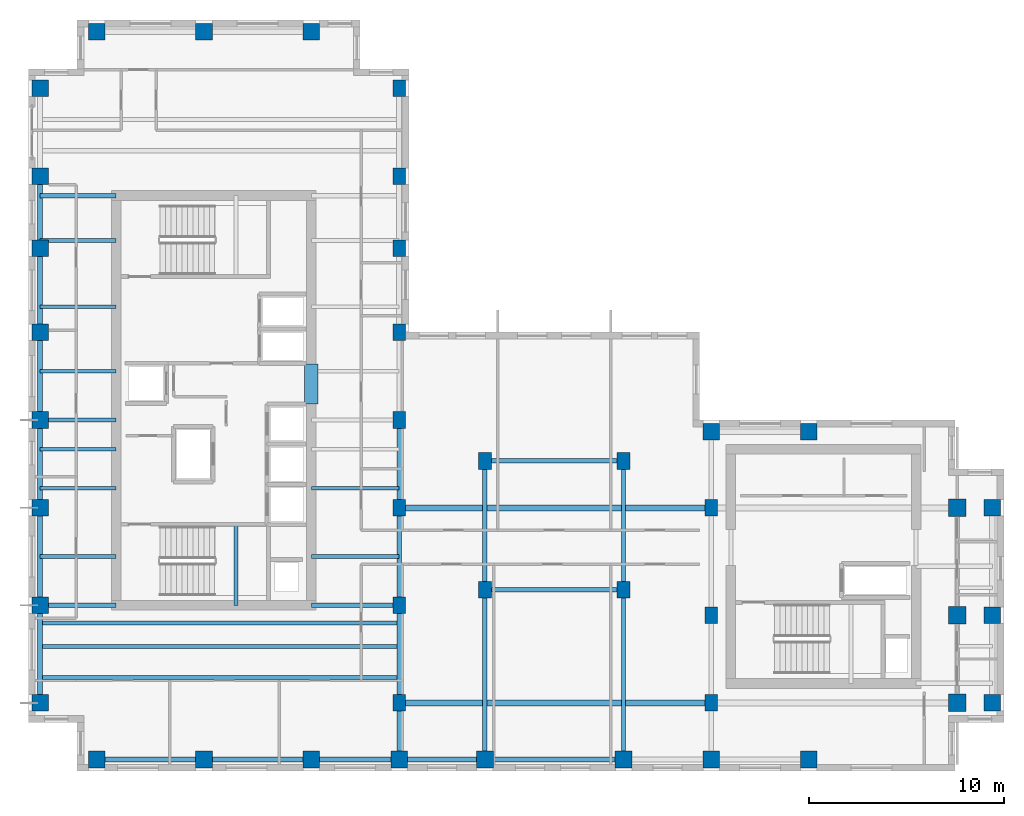
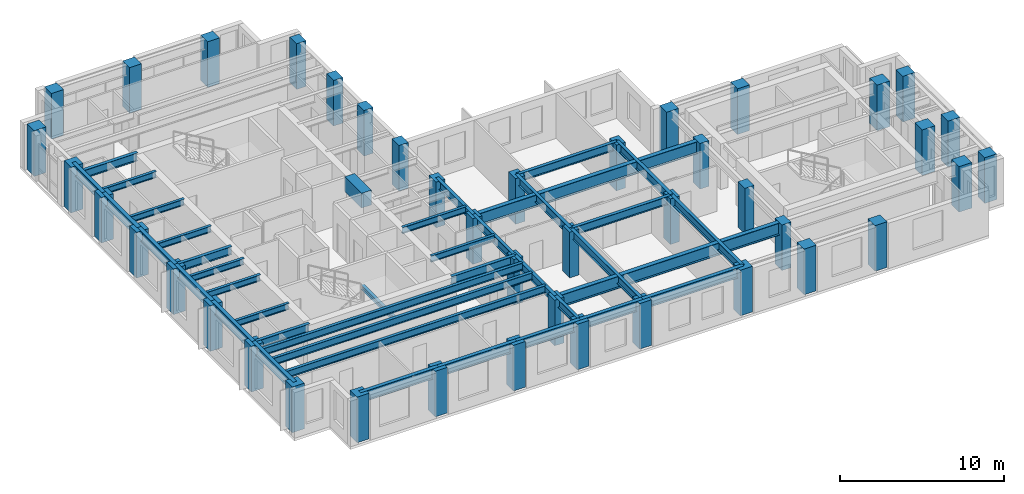
# One storey, part 1 of 13: 42 columns, 40 beams.
"""IFC4 building model written with IfcOpenShell, lengths in metres."""

from ifc_helpers import new_model, si_unit, direction, frame, origin, origin_2d, place, context, subcontext, project, spatial, rectangle, i_section, extrude, source, transform, mapped, material, material_profile, profile_set, type_object, element, save


model = new_model("IFC4")

# Units and contexts
model_context = context("Model", 3, precision=1e-05, world=origin(), true_north=direction((0.0, 1.0)))
body_context = subcontext(model_context, "Body", "Model", "MODEL_VIEW")
ifc_project = project(units=[si_unit("LENGTHUNIT", "METRE"), si_unit("AREAUNIT", "SQUARE_METRE"), si_unit("VOLUMEUNIT", "CUBIC_METRE"), si_unit("PLANEANGLEUNIT", "RADIAN"), si_unit("MASSUNIT", "GRAM", prefix="KILO")], contexts=[model_context])

# Site, building, storey
site_placement = place(None, origin())
site = spatial("IfcSite", under=ifc_project, at=site_placement, CompositionType="ELEMENT")
building_placement = place(site_placement, origin())
building = spatial("IfcBuilding", under=site, at=building_placement, Name="Kharzan Plaza Tower", CompositionType="ELEMENT")
storey_placement = place(building_placement, frame((0.0, 0.0, 252.0)))
storey = spatial("IfcBuildingStorey", under=building, at=storey_placement, Name="L68", CompositionType="ELEMENT", Elevation=252.0)

# Columns
ifc_material_1 = material(Name="Concrete C50/60", Category="concrete")
ifc_material_profile_1 = material_profile(ifc_material_1, rectangle(XDim=0.89990234375, YDim=0.89990234375, at=origin_2d()), Name="RC-IC900x900")
ifc_profile_set_1 = profile_set([ifc_material_profile_1], Name="Concrete C50/60")
column_type_1 = type_object("IfcColumnType", Name="COL-IC900", PredefinedType="COLUMN", material=ifc_profile_set_1)
shared_shape_1 = source(origin(), body_context, "Body", "SweptSolid", [
    extrude(rectangle(XDim=0.89990234375, YDim=0.89990234375, at=origin_2d()), origin(), (0.0, 0.0, 1.0), 3.39990234375),
])
for number, where, z_axis, x_axis, name in (
    (1, (47.60009765625, 13.5, 0.0), (0.0, 0.0, 1.0), (1.0, 0.0, 0.0), "L68 Structural Column TCBI-135"),
    (2, (47.60009765625, 3.5, 0.0), (0.0, 0.0, 1.0), (1.0, 0.0, 0.0), "L68 Structural Column TCBI-35"),
    (3, (47.60009765625, 8.0, 0.0), (0.0, 0.0, 1.0), (1.0, 0.0, 0.0), "L68 Structural Column TCBI-80"),
):
    element("IfcColumn", number, at=place(storey_placement, frame(where, z_axis=z_axis, x_axis=x_axis)), inside=storey, type_object=column_type_1, Name=name, PredefinedType="COLUMN", context=body_context, shape_type="MappedRepresentation", body=[
        mapped(shared_shape_1, transform((0.0, 0.0, 0.0), x_axis=(1.0, 0.0, 0.0), y_axis=(0.0, 1.0, 0.0), z_axis=(0.0, 0.0, 1.0))),
    ])
ifc_material_profile_2 = material_profile(ifc_material_1, rectangle(XDim=0.64990234375, YDim=0.85009765625, at=origin_2d()), Name="RC-SC850x650")
ifc_profile_set_2 = profile_set([ifc_material_profile_2], Name="Concrete C50/60")
column_type_2 = type_object("IfcColumnType", Name="COL-SC850", PredefinedType="COLUMN", material=ifc_profile_set_2)
shared_shape_2 = source(origin(), body_context, "Body", "SweptSolid", [
    extrude(rectangle(XDim=0.64990234375, YDim=0.85009765625, at=origin_2d()), origin(), (0.0, 0.0, 1.0), 3.39990234375),
])
for number, where, z_axis, x_axis, name in (
    (4, (19.0, 13.5, 0.0), (0.0, 0.0, 1.0), (1.0, 0.0, 0.0), "L68 Structural Column TCA-135"),
    (5, (19.0, 18.0, 0.0), (0.0, 0.0, 1.0), (1.0, 0.0, 0.0), "L68 Structural Column TCA-180"),
    (6, (19.0, 22.5, 0.0), (0.0, 0.0, 1.0), (1.0, 0.0, 0.0), "L68 Structural Column TCA-225"),
    (7, (19.0, 26.800048828125, 0.0), (0.0, 0.0, 1.0), (1.0, 0.0, 0.0), "L68 Structural Column TCA-268"),
    (8, (19.0, 30.5, 0.0), (0.0, 0.0, 1.0), (1.0, 0.0, 0.0), "L68 Structural Column TCA-305"),
    (9, (19.0, 3.5, 0.0), (0.0, 0.0, 1.0), (1.0, 0.0, 0.0), "L68 Structural Column TCA-35"),
    (10, (19.0, 35.0, 0.0), (0.0, 0.0, 1.0), (1.0, 0.0, 0.0), "L68 Structural Column TCA-350"),
    (11, (19.0, 8.5, 0.0), (0.0, 0.0, 1.0), (1.0, 0.0, 0.0), "L68 Structural Column TCA-85"),
    (12, (35.0, 13.5, 0.0), (0.0, 0.0, 1.0), (1.0, 0.0, 0.0), "L68 Structural Column TCBS-135"),
    (13, (35.0, 3.5, 0.0), (0.0, 0.0, 1.0), (1.0, 0.0, 0.0), "L68 Structural Column TCBS-35"),
    (14, (35.0, 8.0, 0.0), (0.0, 0.0, 1.0), (1.0, 0.0, 0.0), "L68 Structural Column TCBS-80"),
    (15, (23.39990234375, 15.89990234375, 0.0), (0.0, 0.0, 1.0), (1.0, 0.0, 0.0), "L68 Structural Column TCSP-234-159"),
    (16, (23.39990234375, 9.300048828125, 0.0), (0.0, 0.0, 1.0), (1.0, 0.0, 0.0), "L68 Structural Column TCSP-234-93"),
    (17, (30.5, 15.89990234375, 0.0), (0.0, 0.0, 1.0), (1.0, 0.0, 0.0), "L68 Structural Column TCSP-305-159"),
    (18, (30.5, 9.300048828125, 0.0), (0.0, 0.0, 1.0), (1.0, 0.0, 0.0), "L68 Structural Column TCSP-305-93"),
):
    element("IfcColumn", number, at=place(storey_placement, frame(where, z_axis=z_axis, x_axis=x_axis)), inside=storey, type_object=column_type_2, Name=name, PredefinedType="COLUMN", context=body_context, shape_type="MappedRepresentation", body=[
        mapped(shared_shape_2, transform((0.0, 0.0, 0.0), x_axis=(1.0, 0.0, 0.0), y_axis=(0.0, 1.0, 0.0), z_axis=(0.0, 0.0, 1.0))),
    ])
ifc_material_profile_3 = material_profile(ifc_material_1, rectangle(XDim=0.85009765625, YDim=0.85009765625, at=origin_2d()), Name="RC-TC850x850")
ifc_profile_set_3 = profile_set([ifc_material_profile_3], Name="Concrete C50/60")
column_type_3 = type_object("IfcColumnType", Name="COL-TC850", PredefinedType="COLUMN", material=ifc_profile_set_3)
shared_shape_3 = source(origin(), body_context, "Body", "SweptSolid", [
    extrude(rectangle(XDim=0.85009765625, YDim=0.85009765625, at=origin_2d()), origin(), (0.0, 0.0, 1.0), 3.39990234375),
])
for number, where, z_axis, x_axis, name in (
    (19, (35.0, 17.39990234375, 0.0), (0.0, 0.0, 1.0), (1.0, 0.0, 0.0), "L68 Structural Column TCBN-350-174"),
    (20, (40.0, 17.39990234375, 0.0), (0.0, 0.0, 1.0), (1.0, 0.0, 0.0), "L68 Structural Column TCBN-400-174"),
    (21, (49.39990234375, 13.5, 0.0), (0.0, 0.0, 1.0), (1.0, 0.0, 0.0), "L68 Structural Column TCE-494-135"),
    (22, (49.39990234375, 3.5, 0.0), (0.0, 0.0, 1.0), (1.0, 0.0, 0.0), "L68 Structural Column TCE-494-35"),
    (23, (49.39990234375, 8.0, 0.0), (0.0, 0.0, 1.0), (1.0, 0.0, 0.0), "L68 Structural Column TCE-494-80"),
    (24, (14.5, 37.89990234375, 0.0), (0.0, 0.0, 1.0), (1.0, 0.0, 0.0), "L68 Structural Column TCN-145-379"),
    (25, (3.5, 37.89990234375, 0.0), (0.0, 0.0, 1.0), (1.0, 0.0, 0.0), "L68 Structural Column TCN-35-379"),
    (26, (9.0, 37.89990234375, 0.0), (0.0, 0.0, 1.0), (1.0, 0.0, 0.0), "L68 Structural Column TCN-90-379"),
    (27, (14.5, 0.60009765625, 0.0), (0.0, 0.0, 1.0), (1.0, 0.0, 0.0), "L68 Structural Column TCS-145"),
    (28, (19.0, 0.60009765625, 0.0), (0.0, 0.0, 1.0), (1.0, 0.0, 0.0), "L68 Structural Column TCS-190"),
    (29, (23.39990234375, 0.60009765625, 0.0), (0.0, 0.0, 1.0), (1.0, 0.0, 0.0), "L68 Structural Column TCS-234"),
    (30, (30.5, 0.60009765625, 0.0), (0.0, 0.0, 1.0), (1.0, 0.0, 0.0), "L68 Structural Column TCS-305"),
    (31, (3.5, 0.60009765625, 0.0), (0.0, 0.0, 1.0), (1.0, 0.0, 0.0), "L68 Structural Column TCS-35"),
    (32, (35.0, 0.60009765625, 0.0), (0.0, 0.0, 1.0), (1.0, 0.0, 0.0), "L68 Structural Column TCS-350"),
    (33, (40.0, 0.60009765625, 0.0), (0.0, 0.0, 1.0), (1.0, 0.0, 0.0), "L68 Structural Column TCS-400"),
    (34, (9.0, 0.60009765625, 0.0), (0.0, 0.0, 1.0), (1.0, 0.0, 0.0), "L68 Structural Column TCS-90"),
    (35, (0.60009765625, 13.5, 0.0), (0.0, 0.0, 1.0), (1.0, 0.0, 0.0), "L68 Structural Column TCW-135"),
    (36, (0.60009765625, 18.0, 0.0), (0.0, 0.0, 1.0), (1.0, 0.0, 0.0), "L68 Structural Column TCW-180"),
    (37, (0.60009765625, 22.5, 0.0), (0.0, 0.0, 1.0), (1.0, 0.0, 0.0), "L68 Structural Column TCW-225"),
    (38, (0.60009765625, 26.800048828125, 0.0), (0.0, 0.0, 1.0), (1.0, 0.0, 0.0), "L68 Structural Column TCW-268"),
    (39, (0.60009765625, 30.5, 0.0), (0.0, 0.0, 1.0), (1.0, 0.0, 0.0), "L68 Structural Column TCW-305"),
    (40, (0.60009765625, 3.5, 0.0), (0.0, 0.0, 1.0), (1.0, 0.0, 0.0), "L68 Structural Column TCW-35"),
    (41, (0.60009765625, 35.0, 0.0), (0.0, 0.0, 1.0), (1.0, 0.0, 0.0), "L68 Structural Column TCW-350"),
    (42, (0.60009765625, 8.5, 0.0), (0.0, 0.0, 1.0), (1.0, 0.0, 0.0), "L68 Structural Column TCW-85"),
):
    element("IfcColumn", number, at=place(storey_placement, frame(where, z_axis=z_axis, x_axis=x_axis)), inside=storey, type_object=column_type_3, Name=name, PredefinedType="COLUMN", context=body_context, shape_type="MappedRepresentation", body=[
        mapped(shared_shape_3, transform((0.0, 0.0, 0.0), x_axis=(1.0, 0.0, 0.0), y_axis=(0.0, 1.0, 0.0), z_axis=(0.0, 0.0, 1.0))),
    ])

# Beams
ifc_material_2 = material(Name="Concrete C60/75", Category="concrete")
ifc_material_profile_4 = material_profile(ifc_material_2, rectangle(XDim=0.699951171875, YDim=1.10009765625, at=origin_2d()), Name="RC-CB1100x700")
ifc_profile_set_4 = profile_set([ifc_material_profile_4], Name="Concrete C60/75")
beam_type_1 = type_object("IfcBeamType", Name="BM-RCCB1100", PredefinedType="LINTEL", material=ifc_profile_set_4)
shared_shape_4 = source(origin(), body_context, "Body", "SweptSolid", [
    extrude(rectangle(XDim=0.699951171875, YDim=1.10009765625, at=origin_2d()), origin(), (0.0, 0.0, 1.0), 2.059814453125),
])
beam_1_placement = place(storey_placement, frame((14.5, 18.820068359375, 2.85009765625), z_axis=(0.0, 1.0, 0.0), x_axis=(-1.0, 0.0, 0.0)))
element("IfcBeam", 43, at=beam_1_placement, inside=storey, type_object=beam_type_1, Name="L68 CORE-A RC coupling beam CB1", PredefinedType="LINTEL", context=body_context, shape_type="MappedRepresentation", body=[
    mapped(shared_shape_4, transform((0.0, 0.0, 0.0), x_axis=(1.0, 0.0, 0.0), y_axis=(0.0, 1.0, 0.0), z_axis=(0.0, 0.0, 1.0))),
])
ifc_material_3 = material(Name="Steel S355", Category="steel")
ifc_material_profile_5 = material_profile(ifc_material_3, i_section(OverallWidth=0.205078125, OverallDepth=0.35400390625, WebThickness=0.009521484375, FlangeThickness=0.016845703125, at=origin_2d()), Name="W360x79")
ifc_profile_set_5 = profile_set([ifc_material_profile_5], Name="Steel S355")
beam_type_2 = type_object("IfcBeamType", Name="BM-LNT360", PredefinedType="LINTEL", material=ifc_profile_set_5)
shared_shape_5 = source(origin(), body_context, "Body", "SweptSolid", [
    extrude(i_section(OverallWidth=0.205078125, OverallDepth=0.35400390625, WebThickness=0.009521484375, FlangeThickness=0.016845703125, at=origin_2d()), origin(), (0.0, 0.0, 1.0), 4.155029296875),
])
beam_2_placement = place(storey_placement, frame((10.64990234375, 8.5, 1.423095703125), z_axis=(0.0, 1.0, 0.0), x_axis=(-1.0, 0.0, 0.0)))
element("IfcBeam", 44, at=beam_2_placement, inside=storey, type_object=beam_type_2, Name="L68 Stair ST-1 Half-Landing Beam", PredefinedType="LINTEL", context=body_context, shape_type="MappedRepresentation", body=[
    mapped(shared_shape_5, transform((0.0, 0.0, 0.0), x_axis=(1.0, 0.0, 0.0), y_axis=(0.0, 1.0, 0.0), z_axis=(0.0, 0.0, 1.0))),
])
ifc_material_profile_6 = material_profile(ifc_material_3, i_section(OverallWidth=0.304931640625, OverallDepth=0.9189453125, WebThickness=0.017333984375, FlangeThickness=0.02783203125, at=origin_2d()), Name="W920x253")
ifc_profile_set_6 = profile_set([ifc_material_profile_6], Name="Steel S355")
beam_type_3 = type_object("IfcBeamType", Name="BM-FG920B", PredefinedType="BEAM", material=ifc_profile_set_6)
shared_shape_6 = source(origin(), body_context, "Body", "SweptSolid", [
    extrude(i_section(OverallWidth=0.304931640625, OverallDepth=0.9189453125, WebThickness=0.017333984375, FlangeThickness=0.02783203125, at=origin_2d()), origin(), (0.0, 0.0, 1.0), 16.0),
])
for number, where, z_axis, x_axis, name in (
    (45, (19.0, 3.5, 2.9404296875), (1.0, 0.0, 0.0), (0.0, 1.0, 0.0), "L68 Primary Floor Girder"),
    (46, (19.0, 13.5, 2.9404296875), (1.0, 0.0, 0.0), (0.0, 1.0, 0.0), "L68 Primary Floor Girder"),
):
    element("IfcBeam", number, at=place(storey_placement, frame(where, z_axis=z_axis, x_axis=x_axis)), inside=storey, type_object=beam_type_3, Name=name, PredefinedType="BEAM", context=body_context, shape_type="MappedRepresentation", body=[
        mapped(shared_shape_6, transform((0.0, 0.0, 0.0), x_axis=(1.0, 0.0, 0.0), y_axis=(0.0, 1.0, 0.0), z_axis=(0.0, 0.0, 1.0))),
    ])
ifc_material_profile_7 = material_profile(ifc_material_3, i_section(OverallWidth=0.2099609375, OverallDepth=0.537109375, WebThickness=0.010986328125, FlangeThickness=0.017333984375, at=origin_2d()), Name="W530x101")
ifc_profile_set_7 = profile_set([ifc_material_profile_7], Name="Steel S355")
beam_type_4 = type_object("IfcBeamType", Name="BM-JST530B", PredefinedType="JOIST", material=ifc_profile_set_7)
shared_shape_7 = source(origin(), body_context, "Body", "SweptSolid", [
    extrude(i_section(OverallWidth=0.2099609375, OverallDepth=0.537109375, WebThickness=0.010986328125, FlangeThickness=0.017333984375, at=origin_2d()), origin(), (0.0, 0.0, 1.0), 18.39990234375),
])
for number, where, z_axis, x_axis, name in (
    (47, (0.60009765625, 4.800048828125, 3.131591796875), (1.0, 0.0, 0.0), (0.0, 1.0, 0.0), "L68 Wing A Composite Joist 01"),
    (48, (0.60009765625, 6.39990234375, 3.131591796875), (1.0, 0.0, 0.0), (0.0, 1.0, 0.0), "L68 Wing A Composite Joist 02"),
    (49, (0.60009765625, 7.60009765625, 3.131591796875), (1.0, 0.0, 0.0), (0.0, 1.0, 0.0), "L68 Wing A Composite Joist 03"),
):
    element("IfcBeam", number, at=place(storey_placement, frame(where, z_axis=z_axis, x_axis=x_axis)), inside=storey, type_object=beam_type_4, Name=name, PredefinedType="JOIST", context=body_context, shape_type="MappedRepresentation", body=[
        mapped(shared_shape_7, transform((0.0, 0.0, 0.0), x_axis=(1.0, 0.0, 0.0), y_axis=(0.0, 1.0, 0.0), z_axis=(0.0, 0.0, 1.0))),
    ])
ifc_material_profile_8 = material_profile(ifc_material_3, i_section(OverallWidth=0.194091796875, OverallDepth=0.468994140625, WebThickness=0.011474609375, FlangeThickness=0.0205078125, at=origin_2d()), Name="W460x106")
ifc_profile_set_8 = profile_set([ifc_material_profile_8], Name="Steel S355")
beam_type_5 = type_object("IfcBeamType", Name="BM-JST460", PredefinedType="JOIST", material=ifc_profile_set_8)
shared_shape_8 = source(origin(), body_context, "Body", "SweptSolid", [
    extrude(i_section(OverallWidth=0.194091796875, OverallDepth=0.468994140625, WebThickness=0.011474609375, FlangeThickness=0.0205078125, at=origin_2d()), origin(), (0.0, 0.0, 1.0), 4.5),
])
for number, where, z_axis, x_axis, name in (
    (50, (14.5, 11.0, 3.16552734375), (1.0, 0.0, 0.0), (0.0, 1.0, 0.0), "L68 Wing A East Infill Joist 1"),
    (51, (14.5, 14.5, 3.16552734375), (1.0, 0.0, 0.0), (0.0, 1.0, 0.0), "L68 Wing A East Infill Joist 2"),
):
    element("IfcBeam", number, at=place(storey_placement, frame(where, z_axis=z_axis, x_axis=x_axis)), inside=storey, type_object=beam_type_5, Name=name, PredefinedType="JOIST", context=body_context, shape_type="MappedRepresentation", body=[
        mapped(shared_shape_8, transform((0.0, 0.0, 0.0), x_axis=(1.0, 0.0, 0.0), y_axis=(0.0, 1.0, 0.0), z_axis=(0.0, 0.0, 1.0))),
    ])
shared_shape_9 = source(origin(), body_context, "Body", "SweptSolid", [
    extrude(i_section(OverallWidth=0.194091796875, OverallDepth=0.468994140625, WebThickness=0.011474609375, FlangeThickness=0.0205078125, at=origin_2d()), origin(), (0.0, 0.0, 1.0), 3.89990234375),
])
for number, where, z_axis, x_axis, name in (
    (52, (0.60009765625, 11.0, 3.16552734375), (1.0, 0.0, 0.0), (0.0, 1.0, 0.0), "L68 Wing A West Infill Joist 1"),
    (53, (0.60009765625, 14.5, 3.16552734375), (1.0, 0.0, 0.0), (0.0, 1.0, 0.0), "L68 Wing A West Infill Joist 2"),
    (54, (0.60009765625, 16.5, 3.16552734375), (1.0, 0.0, 0.0), (0.0, 1.0, 0.0), "L68 Wing A West Infill Joist 3"),
    (55, (0.60009765625, 20.5, 3.16552734375), (1.0, 0.0, 0.0), (0.0, 1.0, 0.0), "L68 Wing A West Infill Joist 4"),
    (56, (0.60009765625, 23.800048828125, 3.16552734375), (1.0, 0.0, 0.0), (0.0, 1.0, 0.0), "L68 Wing A West Infill Joist 5"),
    (57, (0.60009765625, 27.199951171875, 3.16552734375), (1.0, 0.0, 0.0), (0.0, 1.0, 0.0), "L68 Wing A West Infill Joist 6"),
):
    element("IfcBeam", number, at=place(storey_placement, frame(where, z_axis=z_axis, x_axis=x_axis)), inside=storey, type_object=beam_type_5, Name=name, PredefinedType="JOIST", context=body_context, shape_type="MappedRepresentation", body=[
        mapped(shared_shape_9, transform((0.0, 0.0, 0.0), x_axis=(1.0, 0.0, 0.0), y_axis=(0.0, 1.0, 0.0), z_axis=(0.0, 0.0, 1.0))),
    ])
ifc_material_profile_9 = material_profile(ifc_material_3, i_section(OverallWidth=0.22900390625, OverallDepth=0.612060546875, WebThickness=0.011962890625, FlangeThickness=0.01953125, at=origin_2d()), Name="W610x125")
ifc_profile_set_9 = profile_set([ifc_material_profile_9], Name="Steel S355")
beam_type_6 = type_object("IfcBeamType", Name="BM-FG610B", PredefinedType="BEAM", material=ifc_profile_set_9)
shared_shape_10 = source(origin(), body_context, "Body", "SweptSolid", [
    extrude(i_section(OverallWidth=0.22900390625, OverallDepth=0.612060546875, WebThickness=0.011962890625, FlangeThickness=0.01953125, at=origin_2d()), origin(), (0.0, 0.0, 1.0), 4.5),
])
for number, where, z_axis, x_axis, name in (
    (58, (14.5, 8.5, 3.093994140625), (1.0, 0.0, 0.0), (0.0, 1.0, 0.0), "L68 Core-A East Floor Girder 1"),
    (59, (19.0, 13.5, 3.093994140625), (0.0, 1.0, 0.0), (-1.0, 0.0, 0.0), "L68 Interior Frame Girder"),
):
    element("IfcBeam", number, at=place(storey_placement, frame(where, z_axis=z_axis, x_axis=x_axis)), inside=storey, type_object=beam_type_6, Name=name, PredefinedType="BEAM", context=body_context, shape_type="MappedRepresentation", body=[
        mapped(shared_shape_10, transform((0.0, 0.0, 0.0), x_axis=(1.0, 0.0, 0.0), y_axis=(0.0, 1.0, 0.0), z_axis=(0.0, 0.0, 1.0))),
    ])
shared_shape_11 = source(origin(), body_context, "Body", "SweptSolid", [
    extrude(i_section(OverallWidth=0.22900390625, OverallDepth=0.612060546875, WebThickness=0.011962890625, FlangeThickness=0.01953125, at=origin_2d()), origin(), (0.0, 0.0, 1.0), 3.89990234375),
])
for number, where, z_axis, x_axis, name in (
    (60, (0.60009765625, 8.5, 3.093994140625), (1.0, 0.0, 0.0), (0.0, 1.0, 0.0), "L68 Core-A West Floor Girder 1"),
    (61, (0.60009765625, 18.0, 3.093994140625), (1.0, 0.0, 0.0), (0.0, 1.0, 0.0), "L68 Core-A West Floor Girder 2"),
    (62, (0.60009765625, 29.5, 3.093994140625), (1.0, 0.0, 0.0), (0.0, 1.0, 0.0), "L68 Core-A West Floor Girder 3"),
):
    element("IfcBeam", number, at=place(storey_placement, frame(where, z_axis=z_axis, x_axis=x_axis)), inside=storey, type_object=beam_type_6, Name=name, PredefinedType="BEAM", context=body_context, shape_type="MappedRepresentation", body=[
        mapped(shared_shape_11, transform((0.0, 0.0, 0.0), x_axis=(1.0, 0.0, 0.0), y_axis=(0.0, 1.0, 0.0), z_axis=(0.0, 0.0, 1.0))),
    ])
shared_shape_12 = source(origin(), body_context, "Body", "SweptSolid", [
    extrude(i_section(OverallWidth=0.22900390625, OverallDepth=0.612060546875, WebThickness=0.011962890625, FlangeThickness=0.01953125, at=origin_2d()), origin(), (0.0, 0.0, 1.0), 5.0),
])
for number, where, z_axis, x_axis, name in (
    (63, (19.0, 3.5, 3.093994140625), (0.0, 1.0, 0.0), (-1.0, 0.0, 0.0), "L68 Interior Frame Girder"),
    (64, (19.0, 8.5, 3.093994140625), (0.0, 1.0, 0.0), (-1.0, 0.0, 0.0), "L68 Interior Frame Girder"),
):
    element("IfcBeam", number, at=place(storey_placement, frame(where, z_axis=z_axis, x_axis=x_axis)), inside=storey, type_object=beam_type_6, Name=name, PredefinedType="BEAM", context=body_context, shape_type="MappedRepresentation", body=[
        mapped(shared_shape_12, transform((0.0, 0.0, 0.0), x_axis=(1.0, 0.0, 0.0), y_axis=(0.0, 1.0, 0.0), z_axis=(0.0, 0.0, 1.0))),
    ])
shared_shape_13 = source(origin(), body_context, "Body", "SweptSolid", [
    extrude(i_section(OverallWidth=0.22900390625, OverallDepth=0.612060546875, WebThickness=0.011962890625, FlangeThickness=0.01953125, at=origin_2d()), origin(), (0.0, 0.0, 1.0), 6.599853515625),
])
for number, where, z_axis, x_axis, name in (
    (65, (23.39990234375, 9.300048828125, 3.093994140625), (0.0, 1.0, 0.0), (-1.0, 0.0, 0.0), "L68 Interior Frame Girder"),
    (66, (30.5, 9.300048828125, 3.093994140625), (0.0, 1.0, 0.0), (-1.0, 0.0, 0.0), "L68 Interior Frame Girder"),
):
    element("IfcBeam", number, at=place(storey_placement, frame(where, z_axis=z_axis, x_axis=x_axis)), inside=storey, type_object=beam_type_6, Name=name, PredefinedType="BEAM", context=body_context, shape_type="MappedRepresentation", body=[
        mapped(shared_shape_13, transform((0.0, 0.0, 0.0), x_axis=(1.0, 0.0, 0.0), y_axis=(0.0, 1.0, 0.0), z_axis=(0.0, 0.0, 1.0))),
    ])
shared_shape_14 = source(origin(), body_context, "Body", "SweptSolid", [
    extrude(i_section(OverallWidth=0.22900390625, OverallDepth=0.612060546875, WebThickness=0.011962890625, FlangeThickness=0.01953125, at=origin_2d()), origin(), (0.0, 0.0, 1.0), 2.89990234375),
])
beam_3_placement = place(storey_placement, frame((19.0, 0.60009765625, 3.093994140625), z_axis=(0.0, 1.0, 0.0), x_axis=(-1.0, 0.0, 0.0)))
element("IfcBeam", 67, at=beam_3_placement, inside=storey, type_object=beam_type_6, Name="L68 Interior Frame Girder", PredefinedType="BEAM", context=body_context, shape_type="MappedRepresentation", body=[
    mapped(shared_shape_14, transform((0.0, 0.0, 0.0), x_axis=(1.0, 0.0, 0.0), y_axis=(0.0, 1.0, 0.0), z_axis=(0.0, 0.0, 1.0))),
])
shared_shape_15 = source(origin(), body_context, "Body", "SweptSolid", [
    extrude(i_section(OverallWidth=0.22900390625, OverallDepth=0.612060546875, WebThickness=0.011962890625, FlangeThickness=0.01953125, at=origin_2d()), origin(), (0.0, 0.0, 1.0), 7.10009765625),
])
for number, where, z_axis, x_axis, name in (
    (68, (23.39990234375, 9.300048828125, 3.093994140625), (1.0, 0.0, 0.0), (0.0, 1.0, 0.0), "L68 Primary Floor Girder"),
    (69, (23.39990234375, 15.89990234375, 3.093994140625), (1.0, 0.0, 0.0), (0.0, 1.0, 0.0), "L68 Primary Floor Girder"),
):
    element("IfcBeam", number, at=place(storey_placement, frame(where, z_axis=z_axis, x_axis=x_axis)), inside=storey, type_object=beam_type_6, Name=name, PredefinedType="BEAM", context=body_context, shape_type="MappedRepresentation", body=[
        mapped(shared_shape_15, transform((0.0, 0.0, 0.0), x_axis=(1.0, 0.0, 0.0), y_axis=(0.0, 1.0, 0.0), z_axis=(0.0, 0.0, 1.0))),
    ])
ifc_material_profile_10 = material_profile(ifc_material_3, i_section(OverallWidth=0.26708984375, OverallDepth=0.76611328125, WebThickness=0.014892578125, FlangeThickness=0.023681640625, at=origin_2d()), Name="W760x185")
ifc_profile_set_10 = profile_set([ifc_material_profile_10], Name="Steel S355")
beam_type_7 = type_object("IfcBeamType", Name="BM-SP760B", PredefinedType="SPANDREL", material=ifc_profile_set_10)
shared_shape_16 = source(origin(), body_context, "Body", "SweptSolid", [
    extrude(i_section(OverallWidth=0.26708984375, OverallDepth=0.76611328125, WebThickness=0.014892578125, FlangeThickness=0.023681640625, at=origin_2d()), origin(), (0.0, 0.0, 1.0), 5.0),
])
for number, where, z_axis, x_axis, name in (
    (70, (0.60009765625, 3.5, 3.01708984375), (0.0, 1.0, 0.0), (-1.0, 0.0, 0.0), "L68 Perimeter Tube Spandrel"),
    (71, (0.60009765625, 8.5, 3.01708984375), (0.0, 1.0, 0.0), (-1.0, 0.0, 0.0), "L68 Perimeter Tube Spandrel"),
):
    element("IfcBeam", number, at=place(storey_placement, frame(where, z_axis=z_axis, x_axis=x_axis)), inside=storey, type_object=beam_type_7, Name=name, PredefinedType="SPANDREL", context=body_context, shape_type="MappedRepresentation", body=[
        mapped(shared_shape_16, transform((0.0, 0.0, 0.0), x_axis=(1.0, 0.0, 0.0), y_axis=(0.0, 1.0, 0.0), z_axis=(0.0, 0.0, 1.0))),
    ])
shared_shape_17 = source(origin(), body_context, "Body", "SweptSolid", [
    extrude(i_section(OverallWidth=0.26708984375, OverallDepth=0.76611328125, WebThickness=0.014892578125, FlangeThickness=0.023681640625, at=origin_2d()), origin(), (0.0, 0.0, 1.0), 4.5),
])
for number, where, z_axis, x_axis, name in (
    (72, (0.60009765625, 13.5, 3.01708984375), (0.0, 1.0, 0.0), (-1.0, 0.0, 0.0), "L68 Perimeter Tube Spandrel"),
    (73, (0.60009765625, 18.0, 3.01708984375), (0.0, 1.0, 0.0), (-1.0, 0.0, 0.0), "L68 Perimeter Tube Spandrel"),
    (74, (14.5, 0.60009765625, 3.01708984375), (1.0, 0.0, 0.0), (0.0, 1.0, 0.0), "L68 Perimeter Tube Spandrel"),
):
    element("IfcBeam", number, at=place(storey_placement, frame(where, z_axis=z_axis, x_axis=x_axis)), inside=storey, type_object=beam_type_7, Name=name, PredefinedType="SPANDREL", context=body_context, shape_type="MappedRepresentation", body=[
        mapped(shared_shape_17, transform((0.0, 0.0, 0.0), x_axis=(1.0, 0.0, 0.0), y_axis=(0.0, 1.0, 0.0), z_axis=(0.0, 0.0, 1.0))),
    ])
shared_shape_18 = source(origin(), body_context, "Body", "SweptSolid", [
    extrude(i_section(OverallWidth=0.26708984375, OverallDepth=0.76611328125, WebThickness=0.014892578125, FlangeThickness=0.023681640625, at=origin_2d()), origin(), (0.0, 0.0, 1.0), 4.300048828125),
])
beam_4_placement = place(storey_placement, frame((0.60009765625, 22.5, 3.01708984375), z_axis=(0.0, 1.0, 0.0), x_axis=(-1.0, 0.0, 0.0)))
element("IfcBeam", 75, at=beam_4_placement, inside=storey, type_object=beam_type_7, Name="L68 Perimeter Tube Spandrel", PredefinedType="SPANDREL", context=body_context, shape_type="MappedRepresentation", body=[
    mapped(shared_shape_18, transform((0.0, 0.0, 0.0), x_axis=(1.0, 0.0, 0.0), y_axis=(0.0, 1.0, 0.0), z_axis=(0.0, 0.0, 1.0))),
])
shared_shape_19 = source(origin(), body_context, "Body", "SweptSolid", [
    extrude(i_section(OverallWidth=0.26708984375, OverallDepth=0.76611328125, WebThickness=0.014892578125, FlangeThickness=0.023681640625, at=origin_2d()), origin(), (0.0, 0.0, 1.0), 3.699951171875),
])
beam_5_placement = place(storey_placement, frame((0.60009765625, 26.800048828125, 3.01708984375), z_axis=(0.0, 1.0, 0.0), x_axis=(-1.0, 0.0, 0.0)))
element("IfcBeam", 76, at=beam_5_placement, inside=storey, type_object=beam_type_7, Name="L68 Perimeter Tube Spandrel", PredefinedType="SPANDREL", context=body_context, shape_type="MappedRepresentation", body=[
    mapped(shared_shape_19, transform((0.0, 0.0, 0.0), x_axis=(1.0, 0.0, 0.0), y_axis=(0.0, 1.0, 0.0), z_axis=(0.0, 0.0, 1.0))),
])
shared_shape_20 = source(origin(), body_context, "Body", "SweptSolid", [
    extrude(i_section(OverallWidth=0.26708984375, OverallDepth=0.76611328125, WebThickness=0.014892578125, FlangeThickness=0.023681640625, at=origin_2d()), origin(), (0.0, 0.0, 1.0), 5.5),
])
for number, where, z_axis, x_axis, name in (
    (77, (3.5, 0.60009765625, 3.01708984375), (1.0, 0.0, 0.0), (0.0, 1.0, 0.0), "L68 Perimeter Tube Spandrel"),
    (78, (9.0, 0.60009765625, 3.01708984375), (1.0, 0.0, 0.0), (0.0, 1.0, 0.0), "L68 Perimeter Tube Spandrel"),
):
    element("IfcBeam", number, at=place(storey_placement, frame(where, z_axis=z_axis, x_axis=x_axis)), inside=storey, type_object=beam_type_7, Name=name, PredefinedType="SPANDREL", context=body_context, shape_type="MappedRepresentation", body=[
        mapped(shared_shape_20, transform((0.0, 0.0, 0.0), x_axis=(1.0, 0.0, 0.0), y_axis=(0.0, 1.0, 0.0), z_axis=(0.0, 0.0, 1.0))),
    ])
shared_shape_21 = source(origin(), body_context, "Body", "SweptSolid", [
    extrude(i_section(OverallWidth=0.26708984375, OverallDepth=0.76611328125, WebThickness=0.014892578125, FlangeThickness=0.023681640625, at=origin_2d()), origin(), (0.0, 0.0, 1.0), 7.10009765625),
])
beam_6_placement = place(storey_placement, frame((23.39990234375, 0.60009765625, 3.01708984375), z_axis=(1.0, 0.0, 0.0), x_axis=(0.0, 1.0, 0.0)))
element("IfcBeam", 79, at=beam_6_placement, inside=storey, type_object=beam_type_7, Name="L68 Perimeter Tube Spandrel", PredefinedType="SPANDREL", context=body_context, shape_type="MappedRepresentation", body=[
    mapped(shared_shape_21, transform((0.0, 0.0, 0.0), x_axis=(1.0, 0.0, 0.0), y_axis=(0.0, 1.0, 0.0), z_axis=(0.0, 0.0, 1.0))),
])
shared_shape_22 = source(origin(), body_context, "Body", "SweptSolid", [
    extrude(i_section(OverallWidth=0.22900390625, OverallDepth=0.612060546875, WebThickness=0.011962890625, FlangeThickness=0.01953125, at=origin_2d()), origin(), (0.0, 0.0, 1.0), 8.699951171875),
])
for number, where, z_axis, x_axis, name in (
    (80, (23.39990234375, 0.60009765625, 3.093994140625), (0.0, 1.0, 0.0), (-1.0, 0.0, 0.0), "L68 Interior Frame Girder"),
    (81, (30.5, 0.60009765625, 3.093994140625), (0.0, 1.0, 0.0), (-1.0, 0.0, 0.0), "L68 Interior Frame Girder"),
):
    element("IfcBeam", number, at=place(storey_placement, frame(where, z_axis=z_axis, x_axis=x_axis)), inside=storey, type_object=beam_type_6, Name=name, PredefinedType="BEAM", context=body_context, shape_type="MappedRepresentation", body=[
        mapped(shared_shape_22, transform((0.0, 0.0, 0.0), x_axis=(1.0, 0.0, 0.0), y_axis=(0.0, 1.0, 0.0), z_axis=(0.0, 0.0, 1.0))),
    ])
shared_shape_23 = source(origin(), body_context, "Body", "SweptSolid", [
    extrude(i_section(OverallWidth=0.26708984375, OverallDepth=0.76611328125, WebThickness=0.014892578125, FlangeThickness=0.023681640625, at=origin_2d()), origin(), (0.0, 0.0, 1.0), 4.39990234375),
])
beam_7_placement = place(storey_placement, frame((19.0, 0.60009765625, 3.01708984375), z_axis=(1.0, 0.0, 0.0), x_axis=(0.0, 1.0, 0.0)))
element("IfcBeam", 82, at=beam_7_placement, inside=storey, type_object=beam_type_7, Name="L68 Perimeter Tube Spandrel", PredefinedType="SPANDREL", context=body_context, shape_type="MappedRepresentation", body=[
    mapped(shared_shape_23, transform((0.0, 0.0, 0.0), x_axis=(1.0, 0.0, 0.0), y_axis=(0.0, 1.0, 0.0), z_axis=(0.0, 0.0, 1.0))),
])

save(model, "model.ifc")
